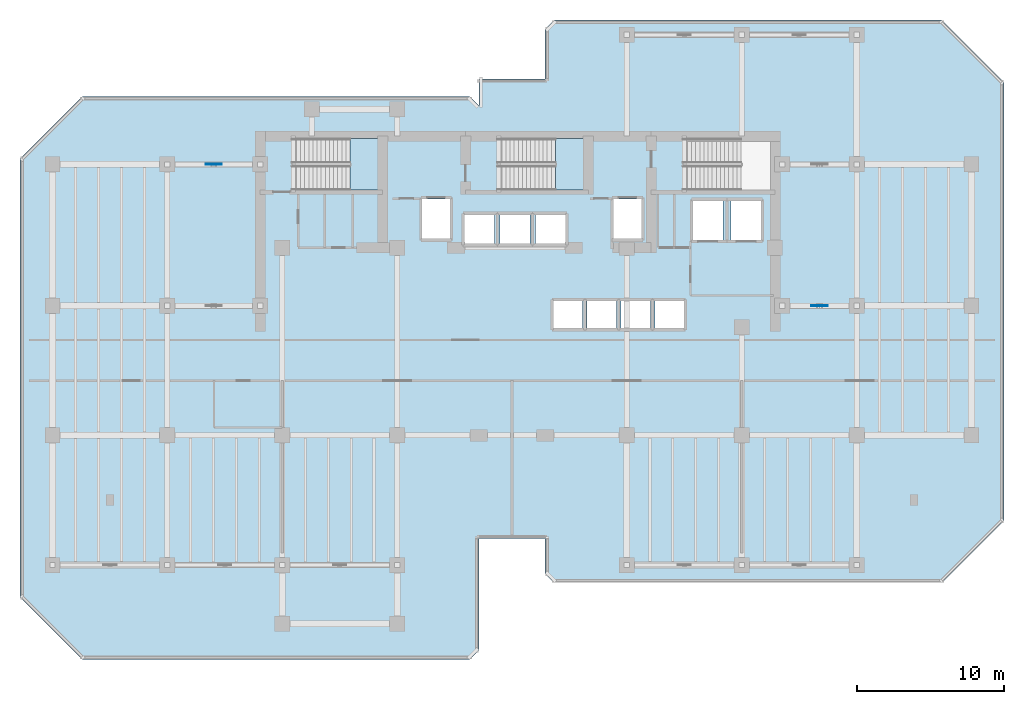
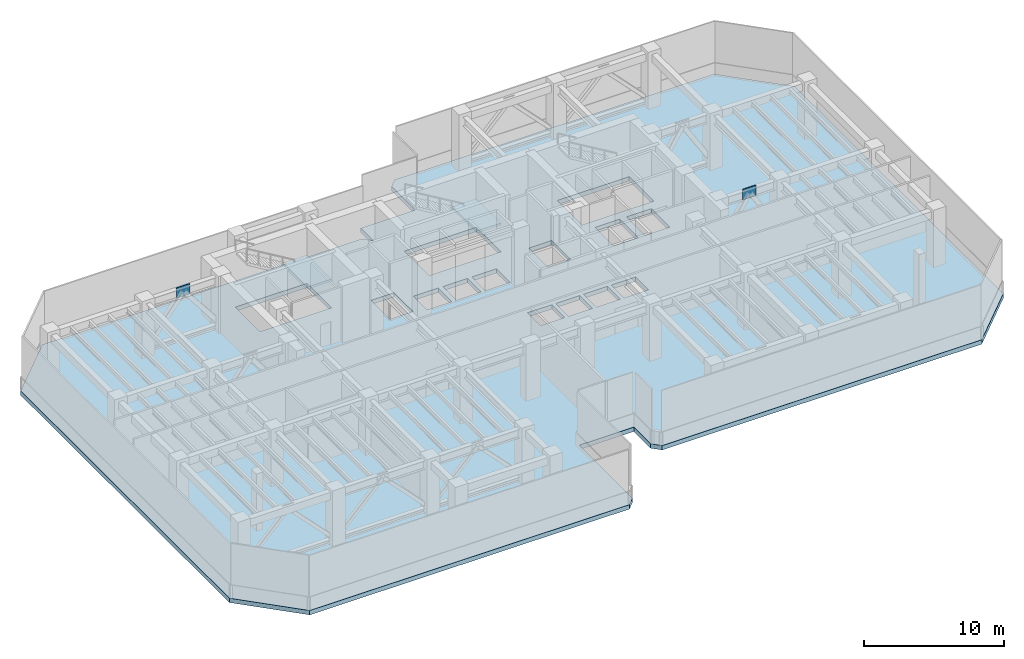
# One storey, part 3 of 10: 3 slabs, 2 plates, 2 elements without a shape of their own.
"""IFC4 building model written with IfcOpenShell, lengths in metres."""

from ifc_helpers import new_model, si_unit, direction, frame, origin, origin_2d, place, context, subcontext, project, spatial, polyline, rectangle, outline, extrude, material, layer, layer_set, type_object, element, aggregate, save


model = new_model("IFC4")

# Units and contexts
model_context = context("Model", 3, precision=1e-05, world=origin(), true_north=direction((0.0, 1.0)))
body_context = subcontext(model_context, "Body", "Model", "MODEL_VIEW")
ifc_project = project(units=[si_unit("LENGTHUNIT", "METRE"), si_unit("AREAUNIT", "SQUARE_METRE"), si_unit("VOLUMEUNIT", "CUBIC_METRE"), si_unit("PLANEANGLEUNIT", "RADIAN"), si_unit("MASSUNIT", "GRAM", prefix="KILO")], contexts=[model_context])

# Site, building, storey
site_placement = place(None, origin())
site = spatial("IfcSite", under=ifc_project, at=site_placement, CompositionType="ELEMENT")
building_placement = place(site_placement, origin())
building = spatial("IfcBuilding", under=site, at=building_placement, Name="Kestravale Grand Hotel", CompositionType="ELEMENT")
storey_placement = place(building_placement, frame((0.0, 0.0, 184.0)))
storey = spatial("IfcBuildingStorey", under=building, at=storey_placement, Name="L46", CompositionType="ELEMENT", Elevation=184.0)

# Plates
ifc_material_1 = material(Name="Steel ASTM A572 Grade 50", Category="steel")
ifc_layer_1 = layer(ifc_material_1, 0.06005859375)
ifc_layer_set_1 = layer_set([ifc_layer_1], Name="PL-GUS-60")
plate_type = type_object("IfcPlateType", Name="PL-GUS-60", PredefinedType="USERDEFINED", material=ifc_layer_set_1)
for number, where, z_axis, x_axis, name in (
    (1, (59.875, 28.800048828125, 3.91015625), (0.0, 0.0, 1.0), (1.0, 0.0, 0.0), "L46 outrigger gusset plate E-E"),
    (2, (18.75, 38.39990234375, 3.91015625), (0.0, 0.0, 1.0), (1.0, 0.0, 0.0), "L46 outrigger gusset plate W-F"),
):
    element("IfcPlate", number, at=place(storey_placement, frame(where, z_axis=z_axis, x_axis=x_axis)), inside=storey, type_object=plate_type, Name=name, ObjectType="GUSSET PLATE", PredefinedType="USERDEFINED", context=body_context, shape_type="SweptSolid", body=[
        extrude(rectangle(XDim=1.10009765625, YDim=0.06005859375, at=origin_2d()), origin(), (0.0, 0.0, 1.0), 0.89990234375),
    ])

# Stair, slab
ifc_material_2 = material(Name="Concrete f'c 45 MPa", Category="concrete")
stair_type = type_object("IfcStairType", Name="ST-CORE-500", PredefinedType="HALF_TURN_STAIR", material=ifc_material_2)
stair_1_placement = place(storey_placement, origin())
stair_1 = element("IfcStair", 3, at=stair_1_placement, inside=storey, type_object=stair_type, Name="L46 ST-1", PredefinedType="HALF_TURN_STAIR")
ifc_material_3 = material(Name="Concrete f'c 45 MPa", Category="concrete")
ifc_layer_2 = layer(ifc_material_3, 0.199951171875)
ifc_layer_set_2 = layer_set([ifc_layer_2], Name="SLB-ST-LND200")
slab_type_1 = type_object("IfcSlabType", Name="SLB-ST-LND200", PredefinedType="LANDING", material=ifc_layer_set_2)
slab_1_placement = place(storey_placement, frame((0.0, 0.0, 2.300048828125)))
slab_1 = element("IfcSlab", 4, at=slab_1_placement, type_object=slab_type_1, Name="ST-1 landing 1", PredefinedType="LANDING", context=body_context, shape_type="SweptSolid", body=[
    extrude(outline(polyline([(28.0, 36.64990234375), (30.0, 36.64990234375), (30.0, 40.159912109375), (28.0, 40.159912109375), (28.0, 36.64990234375)])), origin(), (0.0, 0.0, 1.0), 0.199951171875),
])
aggregate(stair_1, [slab_1])

stair_2_placement = place(storey_placement, origin())
stair_2 = element("IfcStair", 5, at=stair_2_placement, inside=storey, type_object=stair_type, Name="L46 ST-2", PredefinedType="HALF_TURN_STAIR")
slab_2_placement = place(storey_placement, frame((0.0, 0.0, 2.300048828125)))
slab_2 = element("IfcSlab", 6, at=slab_2_placement, type_object=slab_type_1, Name="ST-2 landing 1", PredefinedType="LANDING", context=body_context, shape_type="SweptSolid", body=[
    extrude(outline(polyline([(41.949951171875, 36.64990234375), (43.949951171875, 36.64990234375), (43.949951171875, 40.159912109375), (41.949951171875, 40.159912109375), (41.949951171875, 36.64990234375)])), origin(), (0.0, 0.0, 1.0), 0.199951171875),
])
aggregate(stair_2, [slab_2])

# Slab
ifc_material_4 = material(Name="Concrete f'c 45 MPa", Category="concrete")
ifc_layer_3 = layer(ifc_material_4, 0.3798828125)
ifc_layer_set_3 = layer_set([ifc_layer_3], Name="SS-TRN-380")
slab_type_2 = type_object("IfcSlabType", Name="SS-TRN-380", PredefinedType="FLOOR", material=ifc_layer_set_3)
slab_3_placement = place(storey_placement, frame((0.0, 0.0, -0.3798828125)))
element("IfcSlab", 7, at=slab_3_placement, inside=storey, type_object=slab_type_2, Name="L46 structural floor slab", PredefinedType="FLOOR", context=body_context, shape_type="SweptSolid", body=[
    extrude(outline(polyline([(9.800048828125, 4.800048828125), (36.14990234375, 4.800048828125), (36.75, 5.39990234375), (36.75, 13.0), (41.25, 13.0), (41.25, 10.60009765625), (41.85009765625, 10.0), (68.199951171875, 10.0), (72.39990234375, 14.199951171875), (72.39990234375, 44.0), (68.199951171875, 48.199951171875), (41.85009765625, 48.199951171875), (41.25, 47.60009765625), (41.25, 44.199951171875), (36.75, 44.199951171875), (36.75, 42.39990234375), (36.14990234375, 43.0), (9.800048828125, 43.0), (5.60009765625, 38.800048828125), (5.60009765625, 9.0), (9.800048828125, 4.800048828125)]), holes=[polyline([(24.080078125, 36.64990234375), (30.0, 36.64990234375), (30.0, 40.159912109375), (24.080078125, 40.159912109375), (24.080078125, 36.64990234375)]), polyline([(38.030029296875, 36.64990234375), (43.949951171875, 36.64990234375), (43.949951171875, 40.159912109375), (38.030029296875, 40.159912109375), (38.030029296875, 36.64990234375)]), polyline([(50.6298828125, 36.64990234375), (56.550048828125, 36.64990234375), (56.550048828125, 40.159912109375), (50.6298828125, 40.159912109375), (50.6298828125, 36.64990234375)]), polyline([(41.804931640625, 27.280029296875), (43.794921875, 27.280029296875), (43.794921875, 29.1201171875), (41.804931640625, 29.1201171875), (41.804931640625, 27.280029296875)]), polyline([(44.10498046875, 27.280029296875), (46.094970703125, 27.280029296875), (46.094970703125, 29.1201171875), (44.10498046875, 29.1201171875), (44.10498046875, 27.280029296875)]), polyline([(46.405029296875, 27.280029296875), (48.39501953125, 27.280029296875), (48.39501953125, 29.1201171875), (46.405029296875, 29.1201171875), (46.405029296875, 27.280029296875)]), polyline([(48.705078125, 27.280029296875), (50.695068359375, 27.280029296875), (50.695068359375, 29.1201171875), (48.705078125, 29.1201171875), (48.705078125, 27.280029296875)]), polyline([(35.780029296875, 33.030029296875), (37.820068359375, 33.030029296875), (37.820068359375, 34.969970703125), (35.780029296875, 34.969970703125), (35.780029296875, 33.030029296875)]), polyline([(38.179931640625, 33.030029296875), (40.219970703125, 33.030029296875), (40.219970703125, 34.969970703125), (38.179931640625, 34.969970703125), (38.179931640625, 33.030029296875)]), polyline([(40.580078125, 33.030029296875), (42.6201171875, 33.030029296875), (42.6201171875, 34.969970703125), (40.580078125, 34.969970703125), (40.580078125, 33.030029296875)]), polyline([(32.905029296875, 33.35498046875), (34.794921875, 33.35498046875), (34.794921875, 36.044921875), (32.905029296875, 36.044921875), (32.905029296875, 33.35498046875)]), polyline([(45.905029296875, 33.35498046875), (47.794921875, 33.35498046875), (47.794921875, 36.044921875), (45.905029296875, 36.044921875), (45.905029296875, 33.35498046875)]), polyline([(51.280029296875, 33.280029296875), (53.320068359375, 33.280029296875), (53.320068359375, 35.919921875), (51.280029296875, 35.919921875), (51.280029296875, 33.280029296875)]), polyline([(53.8798828125, 33.280029296875), (55.919921875, 33.280029296875), (55.919921875, 35.919921875), (53.8798828125, 35.919921875), (53.8798828125, 33.280029296875)])]), origin(), (0.0, 0.0, 1.0), 0.3798828125),
])

save(model, "model.ifc")
